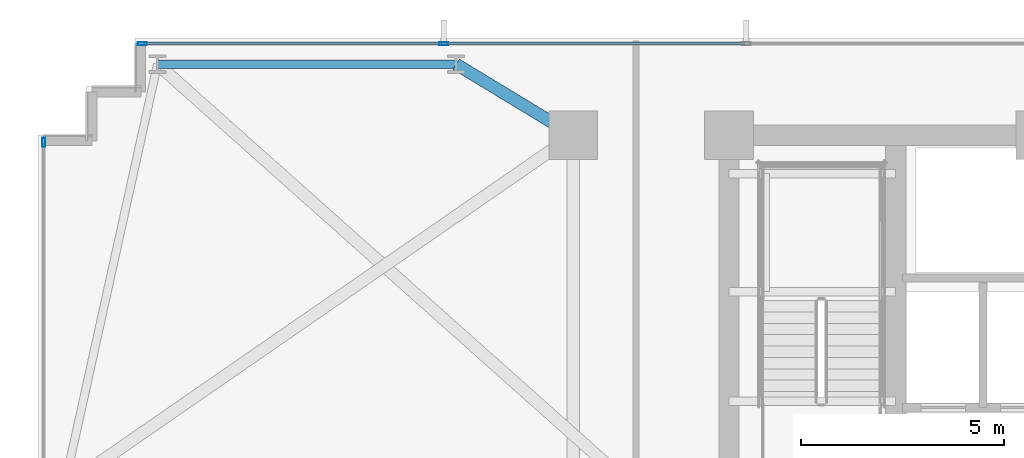
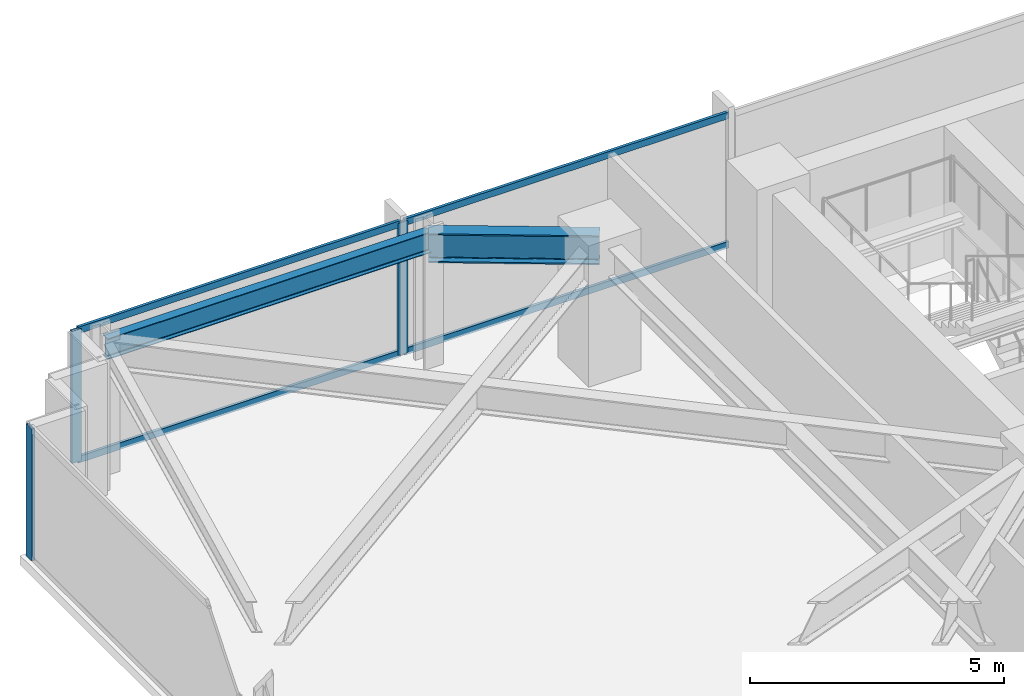
# One storey, part 17 of 33: 7 members, 2 beams, 2 elements without a shape of their own.
"""IFC4 building model written with IfcOpenShell, lengths in metres."""

from ifc_helpers import new_model, si_unit, direction, frame, origin, origin_2d, place, context, subcontext, project, spatial, hollow_rectangle, i_section, extrude, material, material_profile, profile_set, type_object, element, aggregate, save


model = new_model("IFC4")

# Units and contexts
model_context = context("Model", 3, precision=1e-05, world=origin(), true_north=direction((0.0, 1.0)))
body_context = subcontext(model_context, "Body", "Model", "MODEL_VIEW")
ifc_project = project(units=[si_unit("LENGTHUNIT", "METRE"), si_unit("AREAUNIT", "SQUARE_METRE"), si_unit("VOLUMEUNIT", "CUBIC_METRE"), si_unit("PLANEANGLEUNIT", "RADIAN"), si_unit("MASSUNIT", "GRAM", prefix="KILO")], contexts=[model_context])

# Site, building, storey
site_placement = place(None, origin())
site = spatial("IfcSite", under=ifc_project, at=site_placement, CompositionType="ELEMENT")
building_placement = place(site_placement, origin())
building = spatial("IfcBuilding", under=site, at=building_placement, Name="Yelkora Congress Tower", CompositionType="ELEMENT")
storey_placement = place(building_placement, frame((0.0, 0.0, 54.199951171875)))
storey = spatial("IfcBuildingStorey", under=building, at=storey_placement, Name="L13", CompositionType="ELEMENT", Elevation=54.199951171875)

# Beams
ifc_material_1 = material(Name="Steel S355J2", Category="steel")
ifc_material_profile_1 = material_profile(ifc_material_1, i_section(OverallWidth=0.300048828125, OverallDepth=0.699951171875, WebThickness=0.01708984375, FlangeThickness=0.031982421875, FilletRadius=0.027099609375, at=origin_2d()), Name="HEB 700")
ifc_profile_set_1 = profile_set([ifc_material_profile_1], Name="Steel S355J2")
beam_type_1 = type_object("IfcBeamType", Name="BM-GIRD-HEB700", PredefinedType="BEAM", material=ifc_profile_set_1)
beam_1_placement = place(storey_placement, frame((16.3125, 47.949951171875, 2.830078125), z_axis=(0.855193946581, -0.518308126244, 0.0), x_axis=(0.518308126244, 0.855193946581, 0.0)))
element("IfcBeam", 1, at=beam_1_placement, inside=storey, type_object=beam_type_1, Name="L13 Primary Frame Girder N02", PredefinedType="BEAM", context=body_context, shape_type="SweptSolid", body=[
    extrude(i_section(OverallWidth=0.300048828125, OverallDepth=0.699951171875, WebThickness=0.01708984375, FlangeThickness=0.031982421875, FilletRadius=0.027099609375, at=origin_2d()), origin(), (0.0, 0.0, 1.0), 3.37646484375),
])
ifc_material_profile_2 = material_profile(ifc_material_1, i_section(OverallWidth=0.199951171875, OverallDepth=0.5, WebThickness=0.01025390625, FlangeThickness=0.01611328125, FilletRadius=0.02099609375, at=origin_2d()), Name="IPE 500")
ifc_profile_set_2 = profile_set([ifc_material_profile_2], Name="Steel S355J2")
beam_type_2 = type_object("IfcBeamType", Name="BM-SPAN-IPE500", PredefinedType="SPANDREL", material=ifc_profile_set_2)
beam_2_placement = place(storey_placement, frame((16.3125, 47.949951171875, 2.929931640625), z_axis=(-1.0, 0.0, 0.0), x_axis=(0.0, -1.0, 0.0)))
element("IfcBeam", 2, at=beam_2_placement, inside=storey, type_object=beam_type_2, Name="L13 Perimeter Beam 16", PredefinedType="SPANDREL", context=body_context, shape_type="SweptSolid", body=[
    extrude(i_section(OverallWidth=0.199951171875, OverallDepth=0.5, WebThickness=0.01025390625, FlangeThickness=0.01611328125, FilletRadius=0.02099609375, at=origin_2d()), origin(), (0.0, 0.0, 1.0), 7.362548828125),
])

# Curtain wall, member
ifc_material_2 = material(Name="Anodised aluminium and insulated glass", Category="aluminium")
curtain_wall_type = type_object("IfcCurtainWallType", Name="CW-SYS-B1", PredefinedType="NOTDEFINED", material=ifc_material_2)
curtain_wall_1_placement = place(storey_placement, origin())
curtain_wall_1 = element("IfcCurtainWall", 3, at=curtain_wall_1_placement, inside=storey, type_object=curtain_wall_type, Name="L13 Unitised Curtain Wall 5", PredefinedType="NOTDEFINED")
ifc_material_3 = material(Name="Anodised aluminium 6063-T6", Category="aluminium")
ifc_material_profile_3 = material_profile(ifc_material_3, hollow_rectangle(XDim=0.074951171875, YDim=0.219970703125, WallThickness=0.0048828125, at=origin_2d()), Name="ALU 75x220x5")
ifc_profile_set_3 = profile_set([ifc_material_profile_3], Name="Anodised aluminium 6063-T6")
member_type_1 = type_object("IfcMemberType", Name="MEM-ML-B1", PredefinedType="MULLION", material=ifc_profile_set_3)
member_1_placement = place(storey_placement, frame((6.139892578125, 46.0224609375, 0.0), z_axis=(0.0, 0.0, 1.0), x_axis=(-1.0, 0.0, 0.0)))
member_1 = element("IfcMember", 4, at=member_1_placement, type_object=member_type_1, Name="CW-B1 mullion 5", PredefinedType="MULLION", context=body_context, shape_type="SweptSolid", body=[
    extrude(hollow_rectangle(XDim=0.074951171875, YDim=0.219970703125, WallThickness=0.0048828125, at=origin_2d()), origin(), (0.0, 0.0, 1.0), 3.179931640625),
])
aggregate(curtain_wall_1, [member_1])

# Curtain wall, members
curtain_wall_2_placement = place(storey_placement, origin())
curtain_wall_2 = element("IfcCurtainWall", 5, at=curtain_wall_2_placement, inside=storey, type_object=curtain_wall_type, Name="L13 Unitised Curtain Wall 10", PredefinedType="NOTDEFINED")
member_2_placement = place(storey_placement, frame((8.577392578125, 48.4599609375, 0.0), z_axis=(0.0, 0.0, 1.0), x_axis=(0.0, 1.0, 0.0)))
member_2 = element("IfcMember", 6, at=member_2_placement, type_object=member_type_1, Name="CW-B1 mullion 1", PredefinedType="MULLION", context=body_context, shape_type="SweptSolid", body=[
    extrude(hollow_rectangle(XDim=0.074951171875, YDim=0.219970703125, WallThickness=0.0048828125, at=origin_2d()), origin(), (0.0, 0.0, 1.0), 3.179931640625),
])
member_3_placement = place(storey_placement, frame((16.0048828125, 48.4599609375, 0.0), z_axis=(0.0, 0.0, 1.0), x_axis=(0.0, 1.0, 0.0)))
member_3 = element("IfcMember", 7, at=member_3_placement, type_object=member_type_1, Name="CW-B1 mullion 2", PredefinedType="MULLION", context=body_context, shape_type="SweptSolid", body=[
    extrude(hollow_rectangle(XDim=0.074951171875, YDim=0.219970703125, WallThickness=0.0048828125, at=origin_2d()), origin(), (0.0, 0.0, 1.0), 3.179931640625),
])
ifc_material_profile_4 = material_profile(ifc_material_3, hollow_rectangle(XDim=0.06494140625, YDim=0.159912109375, WallThickness=0.00390625, at=origin_2d()), Name="ALU 65x160x4")
ifc_profile_set_4 = profile_set([ifc_material_profile_4], Name="Anodised aluminium 6063-T6")
member_type_2 = type_object("IfcMemberType", Name="MEM-TR-B1", PredefinedType="USERDEFINED", material=ifc_profile_set_4)
member_4_placement = place(storey_placement, frame((8.614990234375, 48.4599609375, 0.032470703125), z_axis=(1.0, 0.0, 0.0), x_axis=(0.0, 1.0, 0.0)))
member_4 = element("IfcMember", 8, at=member_4_placement, type_object=member_type_2, Name="CW-B1 transom 1.1", ObjectType="TRANSOM", PredefinedType="USERDEFINED", context=body_context, shape_type="SweptSolid", body=[
    extrude(hollow_rectangle(XDim=0.06494140625, YDim=0.159912109375, WallThickness=0.00390625, at=origin_2d()), origin(), (0.0, 0.0, 1.0), 7.3525390625),
])
member_5_placement = place(storey_placement, frame((8.614990234375, 48.4599609375, 3.1474609375), z_axis=(1.0, 0.0, 0.0), x_axis=(0.0, 1.0, 0.0)))
member_5 = element("IfcMember", 9, at=member_5_placement, type_object=member_type_2, Name="CW-B1 transom 1.2", ObjectType="TRANSOM", PredefinedType="USERDEFINED", context=body_context, shape_type="SweptSolid", body=[
    extrude(hollow_rectangle(XDim=0.06494140625, YDim=0.159912109375, WallThickness=0.00390625, at=origin_2d()), origin(), (0.0, 0.0, 1.0), 7.3525390625),
])
member_6_placement = place(storey_placement, frame((16.04248046875, 48.4599609375, 0.032470703125), z_axis=(1.0, 0.0, 0.0), x_axis=(0.0, 1.0, 0.0)))
member_6 = element("IfcMember", 10, at=member_6_placement, type_object=member_type_2, Name="CW-B1 transom 2.1", ObjectType="TRANSOM", PredefinedType="USERDEFINED", context=body_context, shape_type="SweptSolid", body=[
    extrude(hollow_rectangle(XDim=0.06494140625, YDim=0.159912109375, WallThickness=0.00390625, at=origin_2d()), origin(), (0.0, 0.0, 1.0), 7.39013671875),
])
member_7_placement = place(storey_placement, frame((16.04248046875, 48.4599609375, 3.1474609375), z_axis=(1.0, 0.0, 0.0), x_axis=(0.0, 1.0, 0.0)))
member_7 = element("IfcMember", 11, at=member_7_placement, type_object=member_type_2, Name="CW-B1 transom 2.2", ObjectType="TRANSOM", PredefinedType="USERDEFINED", context=body_context, shape_type="SweptSolid", body=[
    extrude(hollow_rectangle(XDim=0.06494140625, YDim=0.159912109375, WallThickness=0.00390625, at=origin_2d()), origin(), (0.0, 0.0, 1.0), 7.39013671875),
])
aggregate(curtain_wall_2, [member_2, member_3, member_4, member_5, member_6, member_7])

save(model, "model.ifc")
